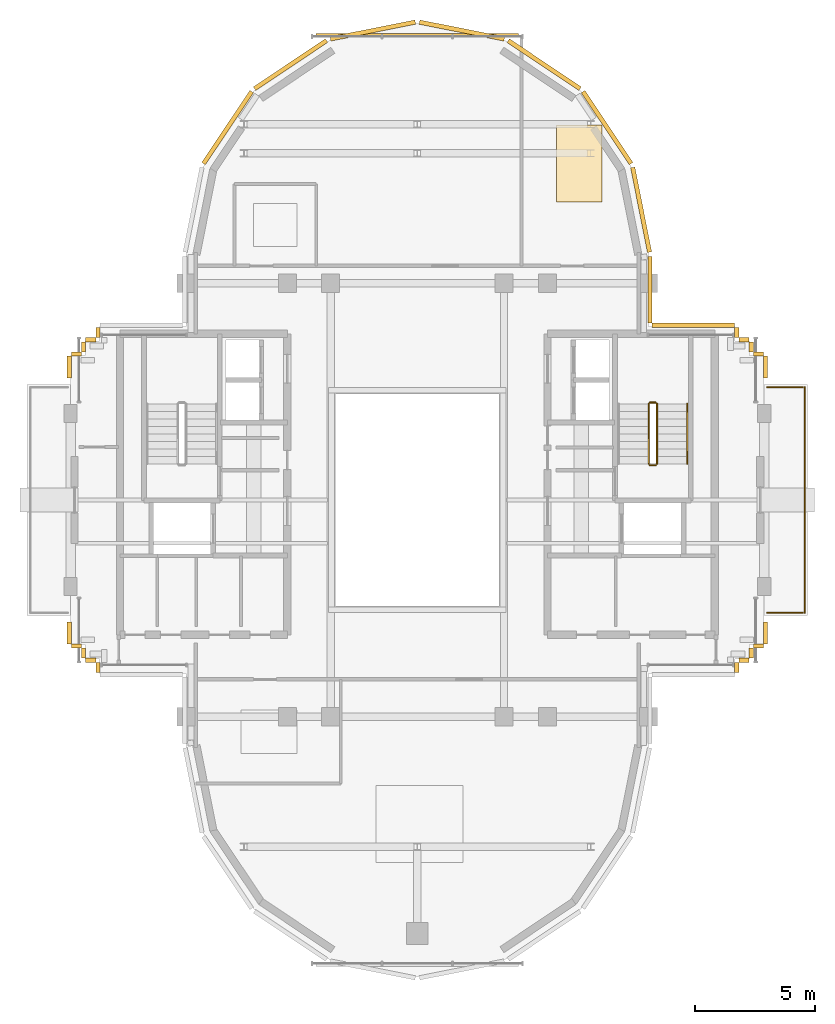
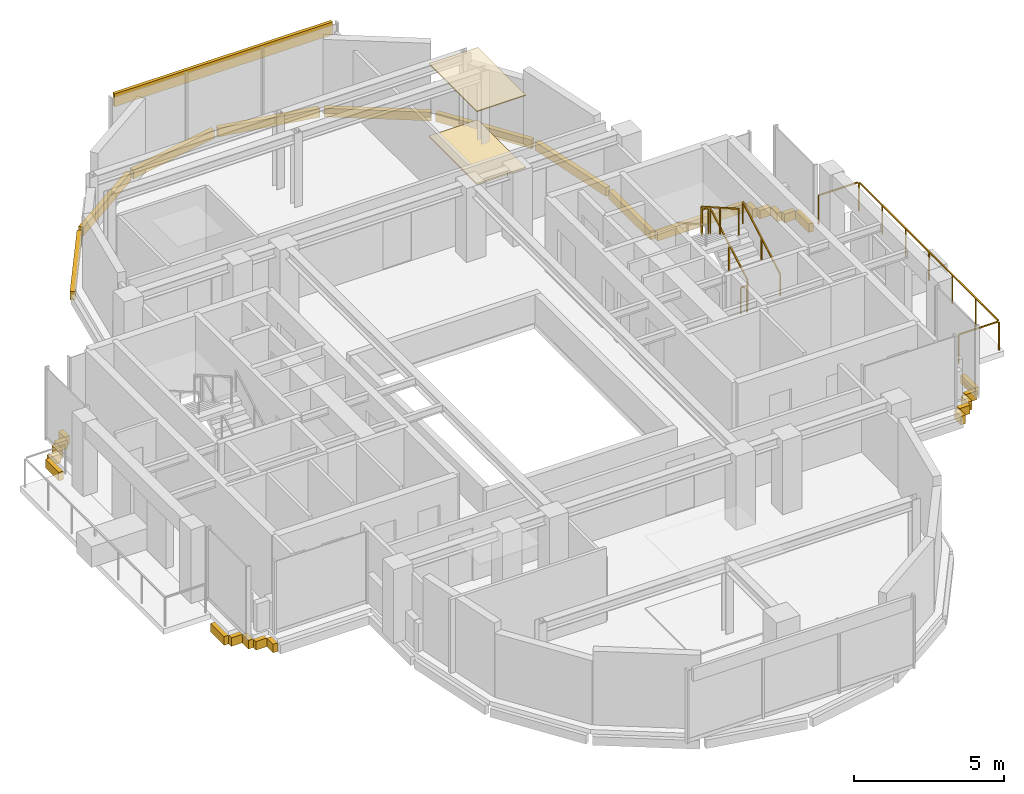
# One storey, part 11 of 12: 32 coverings, 6 railings.
"""IFC4 building model written with IfcOpenShell, lengths in metres."""

from ifc_helpers import new_model, si_unit, direction, frame, origin, origin_2d, place, context, subcontext, project, spatial, rectangle, extrude, source, transform, mapped, material, layer, layer_set, type_object, element, save


model = new_model("IFC4")

# Units and contexts
model_context = context("Model", 3, precision=1e-05, world=origin(), true_north=direction((0.0, 1.0)))
body_context = subcontext(model_context, "Body", "Model", "MODEL_VIEW")
ifc_project = project(units=[si_unit("LENGTHUNIT", "METRE"), si_unit("AREAUNIT", "SQUARE_METRE"), si_unit("VOLUMEUNIT", "CUBIC_METRE"), si_unit("PLANEANGLEUNIT", "RADIAN"), si_unit("MASSUNIT", "GRAM", prefix="KILO")], contexts=[model_context])

# Site, building, storey
site_placement = place(None, origin())
site = spatial("IfcSite", under=ifc_project, at=site_placement, CompositionType="ELEMENT")
building_placement = place(site_placement, origin())
building = spatial("IfcBuilding", under=site, at=building_placement, Name="Keilestroom Media Tower", CompositionType="ELEMENT")
storey_placement = place(building_placement, frame((0.0, 0.0, 258.800048828125)))
storey = spatial("IfcBuildingStorey", under=building, at=storey_placement, Name="L72", CompositionType="ELEMENT", Elevation=258.800048828125)

# Railings
ifc_material_1 = material(Name="Brushed Stainless Steel 1.4301", Category="steel")
railing_type_1 = type_object("IfcRailingType", Name="Stair-Pitch-Handrail-920", PredefinedType="HANDRAIL", material=ifc_material_1)
railing_1_placement = place(storey_placement, frame((11.2099609375, 1.5, 0.177734375)))
element("IfcRailing", 1, at=railing_1_placement, inside=storey, type_object=railing_type_1, Name="L72 ST-2 stair handrail 1", PredefinedType="HANDRAIL", context=body_context, shape_type="SweptSolid", body=[
    extrude(rectangle(XDim=0.048095703125, YDim=0.048095703125, at=origin_2d()), frame((0.0, 0.0, 0.8759765625), z_axis=(0.0, 0.868875238982, 0.495031129408), x_axis=(-1.0, 0.0, 0.0)), (0.0, 0.0, 1.0), 2.872802734375),
    extrude(rectangle(XDim=0.0419921875, YDim=0.0419921875, at=origin_2d()), origin(), (0.0, 0.0, 1.0), 0.84375),
    extrude(rectangle(XDim=0.0419921875, YDim=0.0419921875, at=origin_2d()), frame((0.0, 1.248046875, 0.7109375)), (0.0, 0.0, 1.0), 0.84375),
    extrude(rectangle(XDim=0.0419921875, YDim=0.0419921875, at=origin_2d()), frame((0.0, 2.49609375, 1.422119140625)), (0.0, 0.0, 1.0), 0.84375),
])
ifc_material_2 = material(Name="Painted Steel Balustrade", Category="steel")
railing_type_2 = type_object("IfcRailingType", Name="Stair-Well-And-Landing-Guard-1100", PredefinedType="GUARDRAIL", material=ifc_material_2)
railing_2_placement = place(storey_placement, frame((9.949951171875, 1.5, 0.177734375)))
element("IfcRailing", 2, at=railing_2_placement, inside=storey, type_object=railing_type_2, Name="L72 ST-2 stair guard 1", PredefinedType="GUARDRAIL", context=body_context, shape_type="SweptSolid", body=[
    extrude(rectangle(XDim=0.048095703125, YDim=0.048095703125, at=origin_2d()), frame((0.0, 0.0, 1.076171875), z_axis=(0.0, 0.868875238982, 0.495031129408), x_axis=(-1.0, 0.0, 0.0)), (0.0, 0.0, 1.0), 2.872802734375),
    extrude(rectangle(XDim=0.0419921875, YDim=0.0419921875, at=origin_2d()), origin(), (0.0, 0.0, 1.0), 1.0439453125),
    extrude(rectangle(XDim=0.0419921875, YDim=0.0419921875, at=origin_2d()), frame((0.0, 1.248046875, 0.7109375)), (0.0, 0.0, 1.0), 1.0439453125),
    extrude(rectangle(XDim=0.0419921875, YDim=0.0419921875, at=origin_2d()), frame((0.0, 2.49609375, 1.422119140625)), (0.0, 0.0, 1.0), 1.0439453125),
])
railing_3_placement = place(storey_placement, frame((9.89990234375, 4.0458984375, 1.599853515625)))
element("IfcRailing", 3, at=railing_3_placement, inside=storey, type_object=railing_type_2, Name="L72 ST-2 stair guard 2", PredefinedType="GUARDRAIL", context=body_context, shape_type="SweptSolid", body=[
    extrude(rectangle(XDim=0.048095703125, YDim=0.048095703125, at=origin_2d()), frame((0.0, 0.0, 1.076171875), z_axis=(-1.0, 0.0, 0.0), x_axis=(0.0, -1.0, 0.0)), (0.0, 0.0, 1.0), 0.239990234375),
    extrude(rectangle(XDim=0.0419921875, YDim=0.0419921875, at=origin_2d()), origin(), (0.0, 0.0, 1.0), 1.0439453125),
    extrude(rectangle(XDim=0.0419921875, YDim=0.0419921875, at=origin_2d()), frame((-0.239990234375, 0.0, 0.0)), (0.0, 0.0, 1.0), 1.0439453125),
])
railing_4_placement = place(storey_placement, frame((9.610107421875, 3.99609375, 1.77783203125)))
element("IfcRailing", 4, at=railing_4_placement, inside=storey, type_object=railing_type_2, Name="L72 ST-2 stair guard 3", PredefinedType="GUARDRAIL", context=body_context, shape_type="SweptSolid", body=[
    extrude(rectangle(XDim=0.048095703125, YDim=0.048095703125, at=origin_2d()), frame((0.0, 0.0, 1.076171875), z_axis=(0.0, -0.868875238982, 0.495031129408), x_axis=(1.0, 0.0, 0.0)), (0.0, 0.0, 1.0), 2.872802734375),
    extrude(rectangle(XDim=0.0419921875, YDim=0.0419921875, at=origin_2d()), origin(), (0.0, 0.0, 1.0), 1.0439453125),
    extrude(rectangle(XDim=0.0419921875, YDim=0.0419921875, at=origin_2d()), frame((0.0, -1.248046875, 0.7109375)), (0.0, 0.0, 1.0), 1.0439453125),
    extrude(rectangle(XDim=0.0419921875, YDim=0.0419921875, at=origin_2d()), frame((0.0, -2.49609375, 1.422119140625)), (0.0, 0.0, 1.0), 1.0439453125),
])
railing_5_placement = place(storey_placement, frame((9.89990234375, 1.449951171875, 0.0)))
element("IfcRailing", 5, at=railing_5_placement, inside=storey, type_object=railing_type_2, Name="L72 ST-2 stair guard 4", PredefinedType="GUARDRAIL", context=body_context, shape_type="SweptSolid", body=[
    extrude(rectangle(XDim=0.048095703125, YDim=0.048095703125, at=origin_2d()), frame((0.0, 0.0, 1.076171875), z_axis=(-1.0, 0.0, 0.0), x_axis=(0.0, -1.0, 0.0)), (0.0, 0.0, 1.0), 0.239990234375),
    extrude(rectangle(XDim=0.0419921875, YDim=0.0419921875, at=origin_2d()), origin(), (0.0, 0.0, 1.0), 1.0439453125),
    extrude(rectangle(XDim=0.0419921875, YDim=0.0419921875, at=origin_2d()), frame((-0.239990234375, 0.0, 0.0)), (0.0, 0.0, 1.0), 1.0439453125),
])
ifc_material_3 = material(Name="Laminated Safety Glass & Bronze Aluminium", Category="aluminium")
railing_type_3 = type_object("IfcRailingType", Name="Terrace-And-Atrium-Guard-Balustrade-GD-SKY", PredefinedType="BALUSTRADE", material=ifc_material_3)
railing_6_placement = place(storey_placement, frame((14.52001953125, -4.679931640625, 0.0)))
element("IfcRailing", 6, at=railing_6_placement, inside=storey, type_object=railing_type_3, Name="L72 Terrace Perimeter Guard CUP72-E", PredefinedType="BALUSTRADE", context=body_context, shape_type="SweptSolid", body=[
    extrude(rectangle(XDim=0.048095703125, YDim=0.048095703125, at=origin_2d()), frame((0.0, 0.0, 1.17578125), z_axis=(1.0, 0.0, 0.0), x_axis=(0.0, 1.0, 0.0)), (0.0, 0.0, 1.0), 1.511962890625),
    extrude(rectangle(XDim=0.048095703125, YDim=0.048095703125, at=origin_2d()), frame((1.56005859375, 0.048095703125, 1.17578125), z_axis=(0.0, 1.0, 0.0), x_axis=(-1.0, 0.0, 0.0)), (0.0, 0.0, 1.0), 9.263671875),
    extrude(rectangle(XDim=0.048095703125, YDim=0.048095703125, at=origin_2d()), frame((1.511962890625, 9.35986328125, 1.17578125), z_axis=(-1.0, 0.0, 0.0), x_axis=(0.0, -1.0, 0.0)), (0.0, 0.0, 1.0), 1.511962890625),
    extrude(rectangle(XDim=0.0419921875, YDim=0.0419921875, at=origin_2d()), origin(), (0.0, 0.0, 1.0), 1.143798828125),
    extrude(rectangle(XDim=0.0419921875, YDim=0.0419921875, at=origin_2d()), frame((1.56005859375, 0.0, 0.0)), (0.0, 0.0, 1.0), 1.143798828125),
    extrude(rectangle(XDim=0.0419921875, YDim=0.0419921875, at=origin_2d()), frame((1.56005859375, 1.56005859375, 0.0)), (0.0, 0.0, 1.0), 1.143798828125),
    extrude(rectangle(XDim=0.0419921875, YDim=0.0419921875, at=origin_2d()), frame((1.56005859375, 3.119873046875, 0.0)), (0.0, 0.0, 1.0), 1.143798828125),
    extrude(rectangle(XDim=0.0419921875, YDim=0.0419921875, at=origin_2d()), frame((1.56005859375, 4.679931640625, 0.0)), (0.0, 0.0, 1.0), 1.143798828125),
    extrude(rectangle(XDim=0.0419921875, YDim=0.0419921875, at=origin_2d()), frame((1.56005859375, 6.239990234375, 0.0)), (0.0, 0.0, 1.0), 1.143798828125),
    extrude(rectangle(XDim=0.0419921875, YDim=0.0419921875, at=origin_2d()), frame((1.56005859375, 7.7998046875, 0.0)), (0.0, 0.0, 1.0), 1.143798828125),
    extrude(rectangle(XDim=0.0419921875, YDim=0.0419921875, at=origin_2d()), frame((1.56005859375, 9.35986328125, 0.0)), (0.0, 0.0, 1.0), 1.143798828125),
    extrude(rectangle(XDim=0.0419921875, YDim=0.0419921875, at=origin_2d()), frame((0.0, 9.35986328125, 0.0)), (0.0, 0.0, 1.0), 1.143798828125),
])

# Coverings
ifc_material_4 = material(Name="Precast concrete C40/50", Category="concrete")
ifc_layer_1 = layer(ifc_material_4, 0.1201171875)
ifc_layer_set_1 = layer_set([ifc_layer_1], Name="Precast concrete C40/50")
covering_type_1 = type_object("IfcCoveringType", Name="Exterior-Precast-Spandrel-Cladding-Panel-120", PredefinedType="CLADDING", material=ifc_layer_set_1)
shared_shape_1 = source(origin(), body_context, "Body", "SweptSolid", [
    extrude(rectangle(XDim=8.39990234375, YDim=0.1201171875, at=origin_2d()), origin(), (0.0, 0.0, 1.0), 0.52001953125),
])
covering_1_placement = place(storey_placement, frame((0.0, 19.320068359375, 2.5), z_axis=(0.0, 0.0, 1.0), x_axis=(1.0, 0.0, 0.0)))
element("IfcCovering", 7, at=covering_1_placement, inside=storey, type_object=covering_type_1, Name="L72 Precast Spandrel Cladding N", PredefinedType="CLADDING", context=body_context, shape_type="MappedRepresentation", body=[
    mapped(shared_shape_1, transform((0.0, 0.0, 0.0), x_axis=(1.0, 0.0, 0.0), y_axis=(0.0, 1.0, 0.0), z_axis=(0.0, 0.0, 1.0), scale=1.0)),
])
shared_shape_2 = source(origin(), body_context, "Body", "SweptSolid", [
    extrude(rectangle(XDim=2.765869140625, YDim=0.179931640625, at=origin_2d()), origin(), (0.0, 0.0, 1.0), 0.35009765625),
])
covering_2_placement = place(storey_placement, frame((9.659912109375, 8.73291015625, -0.530029296875), z_axis=(0.0, 0.0, 1.0), x_axis=(0.0, -1.0, 0.0)))
element("IfcCovering", 8, at=covering_2_placement, inside=storey, type_object=covering_type_1, Name="L72 Precast Slab-Edge Fascia Cornice 37", PredefinedType="CLADDING", context=body_context, shape_type="MappedRepresentation", body=[
    mapped(shared_shape_2, transform((0.0, 0.0, 0.0), x_axis=(1.0, 0.0, 0.0), y_axis=(0.0, 1.0, 0.0), z_axis=(0.0, 0.0, 1.0), scale=1.0)),
])
shared_shape_3 = source(origin(), body_context, "Body", "SweptSolid", [
    extrude(rectangle(XDim=3.58349609375, YDim=0.179931640625, at=origin_2d()), origin(), (0.0, 0.0, 1.0), 0.35009765625),
])
covering_3_placement = place(storey_placement, frame((9.29296875, 12.051513671875, -0.530029296875), z_axis=(0.0, 0.0, 1.0), x_axis=(0.195098880975, -0.980783577882, 0.0)))
element("IfcCovering", 9, at=covering_3_placement, inside=storey, type_object=covering_type_1, Name="L72 Precast Slab-Edge Fascia Cornice 36", PredefinedType="CLADDING", context=body_context, shape_type="MappedRepresentation", body=[
    mapped(shared_shape_3, transform((0.0, 0.0, 0.0), x_axis=(1.0, 0.0, 0.0), y_axis=(0.0, 1.0, 0.0), z_axis=(0.0, 0.0, 1.0), scale=1.0)),
])
shared_shape_4 = source(origin(), body_context, "Body", "SweptSolid", [
    extrude(rectangle(XDim=3.589599609375, YDim=0.179931640625, at=origin_2d()), origin(), (0.0, 0.0, 1.0), 0.35009765625),
])
for number, where, z_axis, x_axis, name in (
    (10, (-7.878662109375, 15.46435546875, -0.530029296875), (0.0, 0.0, 1.0), (0.555574586577, 0.831466703332, 0.0), "L72 Precast Slab-Edge Fascia Cornice 30"),
    (11, (-5.264404296875, 18.07861328125, -0.530029296875), (0.0, 0.0, 1.0), (0.831466703332, 0.555574586577, 0.0), "L72 Precast Slab-Edge Fascia Cornice 31"),
    (12, (-1.8486328125, 19.493408203125, -0.530029296875), (0.0, 0.0, 1.0), (0.980783577882, 0.195098880975, 0.0), "L72 Precast Slab-Edge Fascia Cornice 32"),
    (13, (1.8486328125, 19.493408203125, -0.530029296875), (0.0, 0.0, 1.0), (0.980783577882, -0.195098880975, 0.0), "L72 Precast Slab-Edge Fascia Cornice 33"),
    (14, (5.264404296875, 18.07861328125, -0.530029296875), (0.0, 0.0, 1.0), (0.831466703332, -0.555574586577, 0.0), "L72 Precast Slab-Edge Fascia Cornice 34"),
    (15, (7.878662109375, 15.46435546875, -0.530029296875), (0.0, 0.0, 1.0), (0.555574586577, -0.831466703332, 0.0), "L72 Precast Slab-Edge Fascia Cornice 35"),
):
    element("IfcCovering", number, at=place(storey_placement, frame(where, z_axis=z_axis, x_axis=x_axis)), inside=storey, type_object=covering_type_1, Name=name, PredefinedType="CLADDING", context=body_context, shape_type="MappedRepresentation", body=[
        mapped(shared_shape_4, transform((0.0, 0.0, 0.0), x_axis=(1.0, 0.0, 0.0), y_axis=(0.0, 1.0, 0.0), z_axis=(0.0, 0.0, 1.0), scale=1.0)),
    ])
shared_shape_5 = source(origin(), body_context, "Body", "SweptSolid", [
    extrude(rectangle(XDim=0.419921875, YDim=0.179931640625, at=origin_2d()), origin(), (0.0, 0.0, 1.0), 0.35009765625),
])
for number, where, z_axis, x_axis, name in (
    (16, (14.159912109375, -6.06005859375, -0.530029296875), (0.0, 0.0, 1.0), (-1.0, 0.0, 0.0), "L72 Precast Slab-Edge Fascia Cornice 01"),
    (17, (13.860107421875, -6.360107421875, -0.530029296875), (0.0, 0.0, 1.0), (0.0, -1.0, 0.0), "L72 Precast Slab-Edge Fascia Cornice 02"),
    (18, (13.56005859375, -6.659912109375, -0.530029296875), (0.0, 0.0, 1.0), (-1.0, 0.0, 0.0), "L72 Precast Slab-Edge Fascia Cornice 03"),
    (19, (13.260009765625, -6.9599609375, -0.530029296875), (0.0, 0.0, 1.0), (0.0, -1.0, 0.0), "L72 Precast Slab-Edge Fascia Cornice 04"),
    (20, (-13.260009765625, -6.9599609375, -0.530029296875), (0.0, 0.0, 1.0), (0.0, 1.0, 0.0), "L72 Precast Slab-Edge Fascia Cornice 17"),
    (21, (-13.56005859375, -6.659912109375, -0.530029296875), (0.0, 0.0, 1.0), (-1.0, 0.0, 0.0), "L72 Precast Slab-Edge Fascia Cornice 18"),
    (22, (-13.860107421875, -6.360107421875, -0.530029296875), (0.0, 0.0, 1.0), (0.0, 1.0, 0.0), "L72 Precast Slab-Edge Fascia Cornice 19"),
    (23, (-14.159912109375, -6.06005859375, -0.530029296875), (0.0, 0.0, 1.0), (-1.0, 0.0, 0.0), "L72 Precast Slab-Edge Fascia Cornice 20"),
    (24, (-14.159912109375, 6.06005859375, -0.530029296875), (0.0, 0.0, 1.0), (1.0, 0.0, 0.0), "L72 Precast Slab-Edge Fascia Cornice 23"),
    (25, (-13.860107421875, 6.360107421875, -0.530029296875), (0.0, 0.0, 1.0), (0.0, 1.0, 0.0), "L72 Precast Slab-Edge Fascia Cornice 24"),
    (26, (-13.56005859375, 6.659912109375, -0.530029296875), (0.0, 0.0, 1.0), (1.0, 0.0, 0.0), "L72 Precast Slab-Edge Fascia Cornice 25"),
    (27, (-13.260009765625, 6.9599609375, -0.530029296875), (0.0, 0.0, 1.0), (0.0, 1.0, 0.0), "L72 Precast Slab-Edge Fascia Cornice 26"),
    (28, (13.260009765625, 6.9599609375, -0.530029296875), (0.0, 0.0, 1.0), (0.0, -1.0, 0.0), "L72 Precast Slab-Edge Fascia Cornice 39"),
    (29, (13.56005859375, 6.659912109375, -0.530029296875), (0.0, 0.0, 1.0), (1.0, 0.0, 0.0), "L72 Precast Slab-Edge Fascia Cornice 40"),
    (30, (13.860107421875, 6.360107421875, -0.530029296875), (0.0, 0.0, 1.0), (0.0, -1.0, 0.0), "L72 Precast Slab-Edge Fascia Cornice 41"),
    (31, (14.159912109375, 6.06005859375, -0.530029296875), (0.0, 0.0, 1.0), (1.0, 0.0, 0.0), "L72 Precast Slab-Edge Fascia Cornice 42"),
):
    element("IfcCovering", number, at=place(storey_placement, frame(where, z_axis=z_axis, x_axis=x_axis)), inside=storey, type_object=covering_type_1, Name=name, PredefinedType="CLADDING", context=body_context, shape_type="MappedRepresentation", body=[
        mapped(shared_shape_5, transform((0.0, 0.0, 0.0), x_axis=(1.0, 0.0, 0.0), y_axis=(0.0, 1.0, 0.0), z_axis=(0.0, 0.0, 1.0), scale=1.0)),
    ])
shared_shape_6 = source(origin(), body_context, "Body", "SweptSolid", [
    extrude(rectangle(XDim=3.419921875, YDim=0.179931640625, at=origin_2d()), origin(), (0.0, 0.0, 1.0), 0.35009765625),
])
covering_4_placement = place(storey_placement, frame((11.4599609375, 7.260009765625, -0.530029296875), z_axis=(0.0, 0.0, 1.0), x_axis=(1.0, 0.0, 0.0)))
element("IfcCovering", 32, at=covering_4_placement, inside=storey, type_object=covering_type_1, Name="L72 Precast Slab-Edge Fascia Cornice 38", PredefinedType="CLADDING", context=body_context, shape_type="MappedRepresentation", body=[
    mapped(shared_shape_6, transform((0.0, 0.0, 0.0), x_axis=(1.0, 0.0, 0.0), y_axis=(0.0, 1.0, 0.0), z_axis=(0.0, 0.0, 1.0), scale=1.0)),
])
shared_shape_7 = source(origin(), body_context, "Body", "SweptSolid", [
    extrude(rectangle(XDim=0.89990234375, YDim=0.179931640625, at=origin_2d()), origin(), (0.0, 0.0, 1.0), 0.35009765625),
])
for number, where, z_axis, x_axis, name in (
    (33, (-14.4599609375, -5.52001953125, -0.530029296875), (0.0, 0.0, 1.0), (0.0, 1.0, 0.0), "L72 Precast Slab-Edge Fascia Cornice 21"),
    (34, (-14.4599609375, 5.52001953125, -0.530029296875), (0.0, 0.0, 1.0), (0.0, 1.0, 0.0), "L72 Precast Slab-Edge Fascia Cornice 22"),
    (35, (14.4599609375, 5.52001953125, -0.530029296875), (0.0, 0.0, 1.0), (0.0, -1.0, 0.0), "L72 Precast Slab-Edge Fascia Cornice 43"),
    (36, (14.4599609375, -5.52001953125, -0.530029296875), (0.0, 0.0, 1.0), (0.0, -1.0, 0.0), "L72 Precast Slab-Edge Fascia Cornice 44"),
):
    element("IfcCovering", number, at=place(storey_placement, frame(where, z_axis=z_axis, x_axis=x_axis)), inside=storey, type_object=covering_type_1, Name=name, PredefinedType="CLADDING", context=body_context, shape_type="MappedRepresentation", body=[
        mapped(shared_shape_7, transform((0.0, 0.0, 0.0), x_axis=(1.0, 0.0, 0.0), y_axis=(0.0, 1.0, 0.0), z_axis=(0.0, 0.0, 1.0), scale=1.0)),
    ])
ifc_material_5 = material(Name="Mineral-Fibre Acoustic Ceiling Tile", Category="gypsum")
ifc_layer_2 = layer(ifc_material_5, 0.0400390625)
ifc_layer_set_2 = layer_set([ifc_layer_2], Name="Mineral-Fibre Acoustic Ceiling Tile")
covering_type_2 = type_object("IfcCoveringType", Name="Suspended-Acoustic-Ceiling-40", PredefinedType="CEILING", material=ifc_layer_set_2)
shared_shape_8 = source(origin(), body_context, "Body", "SweptSolid", [
    extrude(rectangle(XDim=1.887939453125, YDim=3.199951171875, at=origin_2d()), origin(), (0.0, 0.0, 1.0), 0.0400390625),
])
covering_5_placement = place(storey_placement, frame((6.72998046875, 13.968017578125, 2.969970703125), z_axis=(0.0, 0.0, 1.0), x_axis=(1.0, 0.0, 0.0)))
element("IfcCovering", 37, at=covering_5_placement, inside=storey, type_object=covering_type_2, Name="L72 Suspended Acoustic Ceiling 3", PredefinedType="CEILING", context=body_context, shape_type="MappedRepresentation", body=[
    mapped(shared_shape_8, transform((0.0, 0.0, 0.0), x_axis=(1.0, 0.0, 0.0), y_axis=(0.0, 1.0, 0.0), z_axis=(0.0, 0.0, 1.0), scale=1.0)),
])
ifc_material_6 = material(Name="Calcium-Sulphate Raised Access Floor", Category="concrete")
ifc_layer_3 = layer(ifc_material_6, 0.06005859375)
ifc_layer_set_3 = layer_set([ifc_layer_3], Name="Calcium-Sulphate Raised Access Floor")
covering_type_3 = type_object("IfcCoveringType", Name="Raised-Access-And-Acoustic-Flooring-60", PredefinedType="FLOORING", material=ifc_layer_set_3)
shared_shape_9 = source(origin(), body_context, "Body", "SweptSolid", [
    extrude(rectangle(XDim=1.887939453125, YDim=3.199951171875, at=origin_2d()), origin(), (0.0, 0.0, 1.0), 0.06005859375),
])
covering_6_placement = place(storey_placement, frame((6.72998046875, 13.968017578125, 0.0), z_axis=(0.0, 0.0, 1.0), x_axis=(1.0, 0.0, 0.0)))
element("IfcCovering", 38, at=covering_6_placement, inside=storey, type_object=covering_type_3, Name="L72 Raised Access Flooring 3", PredefinedType="FLOORING", context=body_context, shape_type="MappedRepresentation", body=[
    mapped(shared_shape_9, transform((0.0, 0.0, 0.0), x_axis=(1.0, 0.0, 0.0), y_axis=(0.0, 1.0, 0.0), z_axis=(0.0, 0.0, 1.0), scale=1.0)),
])

save(model, "model.ifc")
